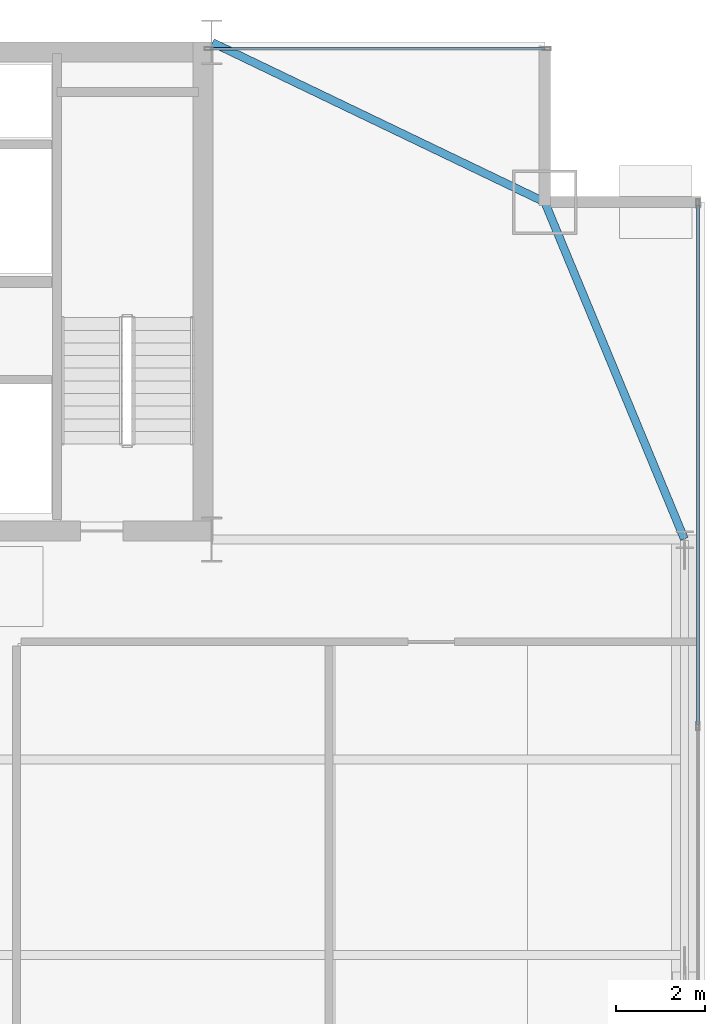
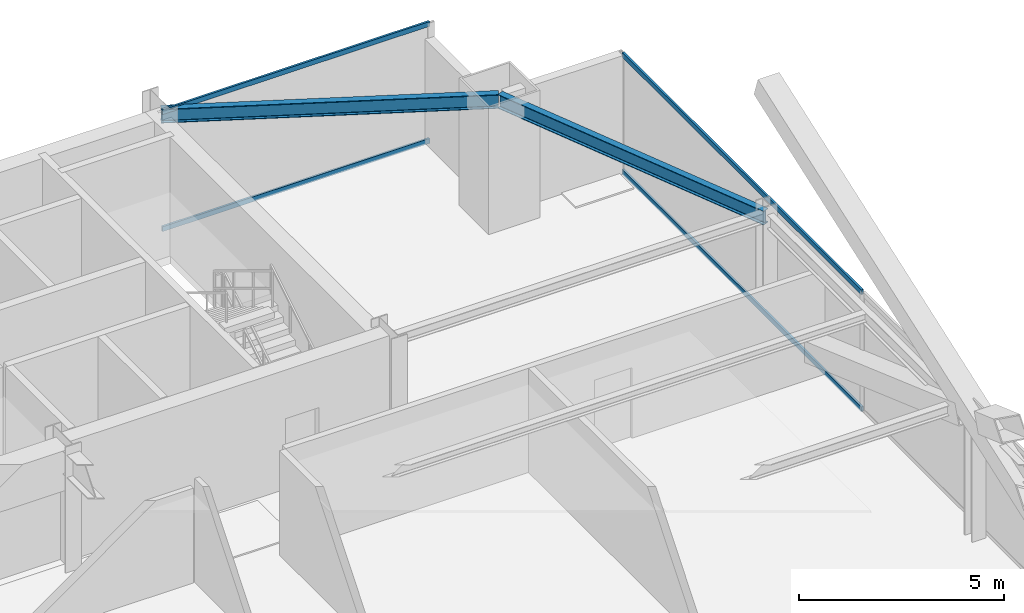
# One storey, part 25 of 35: 4 members, 2 beams, 2 elements without a shape of their own.
"""IFC4 building model written with IfcOpenShell, lengths in metres."""

from ifc_helpers import new_model, si_unit, direction, frame, origin, origin_2d, place, context, subcontext, project, spatial, hollow_rectangle, i_section, extrude, source, transform, mapped, material, layer, layer_set, material_profile, profile_set, type_object, type_shapes, element, aggregate, save


model = new_model("IFC4")

# Units and contexts
model_context = context("Model", 3, precision=1e-05, world=origin(), true_north=direction((0.0, 1.0)))
body_context = subcontext(model_context, "Body", "Model", "MODEL_VIEW")
ifc_project = project(units=[si_unit("LENGTHUNIT", "METRE"), si_unit("AREAUNIT", "SQUARE_METRE"), si_unit("VOLUMEUNIT", "CUBIC_METRE"), si_unit("PLANEANGLEUNIT", "RADIAN"), si_unit("MASSUNIT", "GRAM", prefix="KILO")], contexts=[model_context])

# Site, building, storey
site_placement = place(None, origin())
site = spatial("IfcSite", under=ifc_project, at=site_placement, CompositionType="ELEMENT")
building_placement = place(site_placement, origin())
building = spatial("IfcBuilding", under=site, at=building_placement, Name="Varnel Quay Broadcast Tower", CompositionType="ELEMENT")
storey_placement = place(building_placement, frame((0.0, 0.0, 87.0)))
storey = spatial("IfcBuildingStorey", under=building, at=storey_placement, Name="L20", CompositionType="ELEMENT", Elevation=87.0)

# Beams
ifc_material_1 = material(Name="Structural Steel CSA G40.21 350W", Category="steel")
ifc_material_profile_1 = material_profile(ifc_material_1, i_section(OverallWidth=0.180908203125, OverallDepth=0.4169921875, WebThickness=0.010986328125, FlangeThickness=0.018310546875, FilletRadius=0.011962890625, at=origin_2d()), Name="W410X85")
ifc_profile_set_1 = profile_set([ifc_material_profile_1], Name="Structural Steel CSA G40.21 350W")
beam_type = type_object("IfcBeamType", Name="Beam_W410X85", PredefinedType="SPANDREL", material=ifc_profile_set_1)
shared_shape_1 = source(origin(), body_context, "Body", "SweptSolid", [
    extrude(i_section(OverallWidth=0.180908203125, OverallDepth=0.4169921875, WebThickness=0.010986328125, FlangeThickness=0.018310546875, FilletRadius=0.011962890625, at=origin_2d()), origin(), (0.0, 0.0, 1.0), 8.186767578125),
])
beam_1_placement = place(storey_placement, frame((63.042236328125, 35.618408203125, 3.341552734375), z_axis=(-0.382874132092, 0.923800519038, 0.0), x_axis=(-0.923800519038, -0.382874132092, 0.0)))
element("IfcBeam", 1, at=beam_1_placement, inside=storey, type_object=beam_type, Name="L20 East Spandrel TC-E3-MC-NE", PredefinedType="SPANDREL", context=body_context, shape_type="MappedRepresentation", body=[
    mapped(shared_shape_1, transform((0.0, 0.0, 0.0), x_axis=(1.0, 0.0, 0.0), y_axis=(0.0, 1.0, 0.0), z_axis=(0.0, 0.0, 1.0), scale=1.0)),
])
shared_shape_2 = source(origin(), body_context, "Body", "SweptSolid", [
    extrude(i_section(OverallWidth=0.180908203125, OverallDepth=0.4169921875, WebThickness=0.010986328125, FlangeThickness=0.018310546875, FilletRadius=0.011962890625, at=origin_2d()), origin(), (0.0, 0.0, 1.0), 8.279296875),
])
type_shapes(beam_type, [shared_shape_1, shared_shape_2])
beam_2_placement = place(storey_placement, frame((52.41796875, 46.791259765625, 3.341552734375), z_axis=(0.901535021024, -0.432706142626, 0.0), x_axis=(0.432706142626, 0.901535021024, 0.0)))
element("IfcBeam", 2, at=beam_2_placement, inside=storey, type_object=beam_type, Name="L20 NE Tie Spandrel", PredefinedType="SPANDREL", context=body_context, shape_type="MappedRepresentation", body=[
    mapped(shared_shape_2, transform((0.0, 0.0, 0.0), x_axis=(1.0, 0.0, 0.0), y_axis=(0.0, 1.0, 0.0), z_axis=(0.0, 0.0, 1.0), scale=1.0)),
])

# Curtain wall, members
ifc_material_2 = material(Name="Anodised Bronze Aluminium 6063-T6", Category="aluminium")
ifc_layer = layer(ifc_material_2, 0.18994140625, Name="Anodised Bronze Aluminium 6063-T6")
ifc_layer_set = layer_set([ifc_layer], Name="Anodised Bronze Aluminium 6063-T6")
curtain_wall_type = type_object("IfcCurtainWallType", Name="CW_LowerTower", PredefinedType="NOTDEFINED", material=ifc_layer_set)
curtain_wall_1_placement = place(storey_placement, origin())
curtain_wall_1 = element("IfcCurtainWall", 3, at=curtain_wall_1_placement, inside=storey, type_object=curtain_wall_type, Name="L20 East Unitised Curtain Wall", PredefinedType="NOTDEFINED")
ifc_material_profile_2 = material_profile(ifc_material_2, hollow_rectangle(XDim=0.06005859375, YDim=0.14501953125, WallThickness=0.00341796875, at=origin_2d()), Name="ALU60X145X3.5")
ifc_profile_set_2 = profile_set([ifc_material_profile_2], Name="Anodised Bronze Aluminium 6063-T6")
member_type = type_object("IfcMemberType", Name="Tran_CWS-02", PredefinedType="USERDEFINED", material=ifc_profile_set_2)
shared_shape_3 = source(origin(), body_context, "Body", "SweptSolid", [
    extrude(hollow_rectangle(XDim=0.06005859375, YDim=0.14501953125, WallThickness=0.00341796875, at=origin_2d()), origin(), (0.0, 0.0, 1.0), 11.69482421875),
])
member_1_placement = place(storey_placement, frame((63.35009765625, 31.43505859375, 0.030029296875), z_axis=(0.0, 1.0, 0.0), x_axis=(-1.0, 0.0, 0.0)))
member_1 = element("IfcMember", 4, at=member_1_placement, type_object=member_type, Name="CWS-02 transom 3.1", ObjectType="TRANSOM", PredefinedType="USERDEFINED", context=body_context, shape_type="MappedRepresentation", body=[
    mapped(shared_shape_3, transform((0.0, 0.0, 0.0), x_axis=(1.0, 0.0, 0.0), y_axis=(0.0, 1.0, 0.0), z_axis=(0.0, 0.0, 1.0), scale=1.0)),
])
member_2_placement = place(storey_placement, frame((63.35009765625, 31.43505859375, 3.52001953125), z_axis=(0.0, 1.0, 0.0), x_axis=(-1.0, 0.0, 0.0)))
member_2 = element("IfcMember", 5, at=member_2_placement, type_object=member_type, Name="CWS-02 transom 3.2", ObjectType="TRANSOM", PredefinedType="USERDEFINED", context=body_context, shape_type="MappedRepresentation", body=[
    mapped(shared_shape_3, transform((0.0, 0.0, 0.0), x_axis=(1.0, 0.0, 0.0), y_axis=(0.0, 1.0, 0.0), z_axis=(0.0, 0.0, 1.0), scale=1.0)),
])
aggregate(curtain_wall_1, [member_1, member_2])

curtain_wall_2_placement = place(storey_placement, origin())
curtain_wall_2 = element("IfcCurtainWall", 6, at=curtain_wall_2_placement, inside=storey, type_object=curtain_wall_type, Name="L20 NE Wing Curtain Wall", PredefinedType="NOTDEFINED")
shared_shape_4 = source(origin(), body_context, "Body", "SweptSolid", [
    extrude(hollow_rectangle(XDim=0.06005859375, YDim=0.14501953125, WallThickness=0.00341796875, at=origin_2d()), origin(), (0.0, 0.0, 1.0), 7.539794921875),
])
type_shapes(member_type, [shared_shape_3, shared_shape_4])
member_3_placement = place(storey_placement, frame((52.3701171875, 46.64990234375, 0.030029296875), z_axis=(1.0, 0.0, 0.0), x_axis=(0.0, 1.0, 0.0)))
member_3 = element("IfcMember", 7, at=member_3_placement, type_object=member_type, Name="CWS-02 transom 1.1", ObjectType="TRANSOM", PredefinedType="USERDEFINED", context=body_context, shape_type="MappedRepresentation", body=[
    mapped(shared_shape_4, transform((0.0, 0.0, 0.0), x_axis=(1.0, 0.0, 0.0), y_axis=(0.0, 1.0, 0.0), z_axis=(0.0, 0.0, 1.0), scale=1.0)),
])
member_4_placement = place(storey_placement, frame((52.3701171875, 46.64990234375, 3.52001953125), z_axis=(1.0, 0.0, 0.0), x_axis=(0.0, 1.0, 0.0)))
member_4 = element("IfcMember", 8, at=member_4_placement, type_object=member_type, Name="CWS-02 transom 1.2", ObjectType="TRANSOM", PredefinedType="USERDEFINED", context=body_context, shape_type="MappedRepresentation", body=[
    mapped(shared_shape_4, transform((0.0, 0.0, 0.0), x_axis=(1.0, 0.0, 0.0), y_axis=(0.0, 1.0, 0.0), z_axis=(0.0, 0.0, 1.0), scale=1.0)),
])
aggregate(curtain_wall_2, [member_3, member_4])

save(model, "model.ifc")
